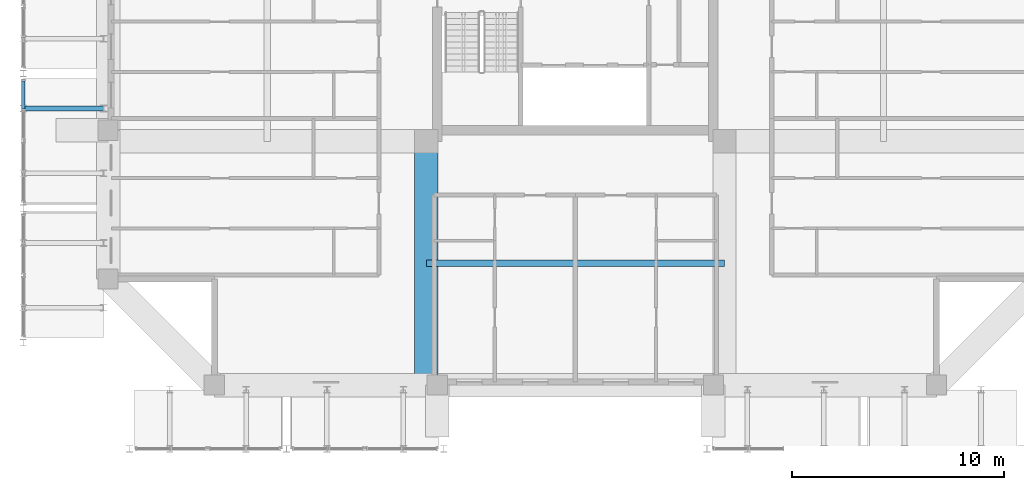
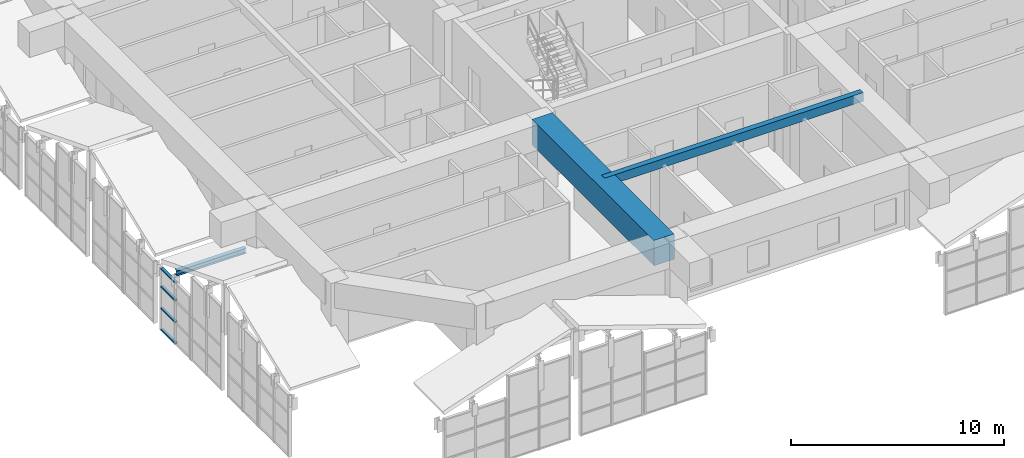
# One storey, part 7 of 45: 5 members, 2 beams, 1 element without a shape of its own.
"""IFC4 building model written with IfcOpenShell, lengths in metres."""

from ifc_helpers import new_model, si_unit, direction, frame, origin, origin_2d, place, context, subcontext, project, spatial, rectangle, hollow_rectangle, i_section, extrude, source, transform, mapped, material, layer, layer_set, material_profile, profile_set, type_object, element, aggregate, save


model = new_model("IFC4")

# Units and contexts
model_context = context("Model", 3, precision=1e-05, world=origin(), true_north=direction((0.0, 1.0)))
body_context = subcontext(model_context, "Body", "Model", "MODEL_VIEW")
ifc_project = project(units=[si_unit("LENGTHUNIT", "METRE"), si_unit("AREAUNIT", "SQUARE_METRE"), si_unit("VOLUMEUNIT", "CUBIC_METRE"), si_unit("PLANEANGLEUNIT", "RADIAN"), si_unit("MASSUNIT", "GRAM", prefix="KILO")], contexts=[model_context])

# Site, building, storey
site_placement = place(None, origin())
site = spatial("IfcSite", under=ifc_project, at=site_placement, CompositionType="ELEMENT")
building_placement = place(site_placement, origin())
building = spatial("IfcBuilding", under=site, at=building_placement, Name="Saelheon Loggia Tower", CompositionType="ELEMENT")
storey_placement = place(building_placement, frame((0.0, 0.0, 152.199951171875)))
storey = spatial("IfcBuildingStorey", under=building, at=storey_placement, Name="L48", CompositionType="ELEMENT", Elevation=152.199951171875)

# Member
ifc_material_1 = material(Name="Steel SM355", Category="steel")
ifc_material_profile_1 = material_profile(ifc_material_1, i_section(OverallWidth=0.219970703125, OverallDepth=0.300048828125, WebThickness=0.011962890625, FlangeThickness=0.02001953125, at=origin_2d()), Name="H-300x220x12x20")
ifc_profile_set_1 = profile_set([ifc_material_profile_1], Name="Steel SM355")
member_type_1 = type_object("IfcMemberType", Name="Roof_ShoulderPurlin_RHS300", PredefinedType="PURLIN", material=ifc_profile_set_1)
shared_shape_1 = source(origin(), body_context, "Body", "SweptSolid", [
    extrude(i_section(OverallWidth=0.219970703125, OverallDepth=0.300048828125, WebThickness=0.011962890625, FlangeThickness=0.02001953125, at=origin_2d()), origin(), (0.0, 0.0, 1.0), 3.780029296875),
])
member_1_placement = place(storey_placement, frame((12.0, 19.02197265625, 0.6220703125), z_axis=(1.0, 0.0, 0.0), x_axis=(0.0, 1.0, 0.0)))
element("IfcMember", 1, at=member_1_placement, inside=storey, type_object=member_type_1, Name="Tier 1 Wave Crest Rafter W 02 B", PredefinedType="PURLIN", context=body_context, shape_type="MappedRepresentation", body=[
    mapped(shared_shape_1, transform((0.0, 0.0, 0.0), scale=1.0)),
])

# Beams
ifc_material_2 = material(Name="Concrete C40/50", Category="concrete")
ifc_material_profile_2 = material_profile(ifc_material_2, rectangle(XDim=0.300048828125, YDim=0.5, at=origin_2d()), Name="RC-300x500")
ifc_profile_set_2 = profile_set([ifc_material_profile_2], Name="Concrete C40/50")
beam_type_1 = type_object("IfcBeamType", Name="Beam_Joist_RC300x500", PredefinedType="JOIST", material=ifc_profile_set_2)
shared_shape_2 = source(origin(), body_context, "Body", "SweptSolid", [
    extrude(rectangle(XDim=0.300048828125, YDim=0.5, at=origin_2d()), origin(), (0.0, 0.0, 1.0), 14.0400390625),
])
beam_1_placement = place(storey_placement, frame((30.97998046875, 11.739990234375, 3.650146484375), z_axis=(1.0, 0.0, 0.0), x_axis=(0.0, 1.0, 0.0)))
element("IfcBeam", 2, at=beam_1_placement, inside=storey, type_object=beam_type_1, Name="L48 South Floor Joist", PredefinedType="JOIST", context=body_context, shape_type="MappedRepresentation", body=[
    mapped(shared_shape_2, transform((0.0, 0.0, 0.0), scale=1.0)),
])
ifc_material_3 = material(Name="Concrete C50/60", Category="concrete")
ifc_material_profile_3 = material_profile(ifc_material_3, rectangle(XDim=1.10009765625, YDim=1.449951171875, at=origin_2d()), Name="RC-1100x1450")
ifc_profile_set_3 = profile_set([ifc_material_profile_3], Name="Concrete C50/60")
beam_type_2 = type_object("IfcBeamType", Name="Beam_Transfer_RC1100x1450", PredefinedType="BEAM", material=ifc_profile_set_3)
shared_shape_3 = source(origin(), body_context, "Body", "SweptSolid", [
    extrude(rectangle(XDim=1.10009765625, YDim=1.449951171875, at=origin_2d()), origin(), (0.0, 0.0, 1.0), 11.47998046875),
])
beam_2_placement = place(storey_placement, frame((30.97998046875, 17.47998046875, 3.175048828125), z_axis=(0.0, -1.0, 0.0), x_axis=(1.0, 0.0, 0.0)))
element("IfcBeam", 3, at=beam_2_placement, inside=storey, type_object=beam_type_2, Name="L48 Radial Floor Girder RAD-SW-S", PredefinedType="BEAM", context=body_context, shape_type="MappedRepresentation", body=[
    mapped(shared_shape_3, transform((0.0, 0.0, 0.0), scale=1.0)),
])

# Curtain wall, members
ifc_material_4 = material(Name="Bronze-Anodised Aluminium and Fritted Ceramic Screen", Category="aluminium")
ifc_layer = layer(ifc_material_4, 0.219970703125)
ifc_layer_set = layer_set([ifc_layer], Name="Bronze-Anodised Aluminium and Fritted Ceramic Screen")
curtain_wall_type = type_object("IfcCurtainWallType", Name="CW_CrownScreen", PredefinedType="NOTDEFINED", material=ifc_layer_set)
curtain_wall_placement = place(storey_placement, origin())
curtain_wall = element("IfcCurtainWall", 4, at=curtain_wall_placement, inside=storey, type_object=curtain_wall_type, Name="Tier 1 Wave Crest Glazing W 02-2", PredefinedType="NOTDEFINED")
ifc_material_5 = material(Name="Bronze-Anodised Aluminium 6063-T6", Category="aluminium")
ifc_material_profile_4 = material_profile(ifc_material_5, hollow_rectangle(XDim=0.070068359375, YDim=0.14990234375, WallThickness=0.0048828125, at=origin_2d()), Name="RHS-150x70x5")
ifc_profile_set_4 = profile_set([ifc_material_profile_4], Name="Bronze-Anodised Aluminium 6063-T6")
member_type_2 = type_object("IfcMemberType", Name="CW_CrownScreen_Transom", PredefinedType="USERDEFINED", material=ifc_profile_set_4)
shared_shape_4 = source(origin(), body_context, "Body", "SweptSolid", [
    extrude(hollow_rectangle(XDim=0.070068359375, YDim=0.14990234375, WallThickness=0.0048828125, at=origin_2d()), origin(), (0.0, 0.0, 1.0), 1.328369140625),
])
member_2_placement = place(storey_placement, frame((12.0, 18.998291015625, -3.4150390625), z_axis=(0.0, 1.0, 0.0), x_axis=(0.0, 0.0, 1.0)))
member_2 = element("IfcMember", 5, at=member_2_placement, type_object=member_type_2, Name="CW6 transom 2.1", ObjectType="TRANSOM", PredefinedType="USERDEFINED", context=body_context, shape_type="MappedRepresentation", body=[
    mapped(shared_shape_4, transform((0.0, 0.0, 0.0), scale=1.0)),
])
member_3_placement = place(storey_placement, frame((12.0, 18.998291015625, -2.199951171875), z_axis=(0.0, 1.0, 0.0), x_axis=(0.0, 0.0, 1.0)))
member_3 = element("IfcMember", 6, at=member_3_placement, type_object=member_type_2, Name="CW6 transom 2.2", ObjectType="TRANSOM", PredefinedType="USERDEFINED", context=body_context, shape_type="MappedRepresentation", body=[
    mapped(shared_shape_4, transform((0.0, 0.0, 0.0), scale=1.0)),
])
member_4_placement = place(storey_placement, frame((12.0, 18.998291015625, -0.949951171875), z_axis=(0.0, 1.0, 0.0), x_axis=(0.0, 0.0, 1.0)))
member_4 = element("IfcMember", 7, at=member_4_placement, type_object=member_type_2, Name="CW6 transom 2.3", ObjectType="TRANSOM", PredefinedType="USERDEFINED", context=body_context, shape_type="MappedRepresentation", body=[
    mapped(shared_shape_4, transform((0.0, 0.0, 0.0), scale=1.0)),
])
member_5_placement = place(storey_placement, frame((12.0, 18.998291015625, 0.074951171875), z_axis=(0.0, 1.0, 0.0), x_axis=(0.0, 0.0, 1.0)))
member_5 = element("IfcMember", 8, at=member_5_placement, type_object=member_type_2, Name="CW6 transom 2.4", ObjectType="TRANSOM", PredefinedType="USERDEFINED", context=body_context, shape_type="MappedRepresentation", body=[
    mapped(shared_shape_4, transform((0.0, 0.0, 0.0), scale=1.0)),
])
aggregate(curtain_wall, [member_2, member_3, member_4, member_5])

save(model, "model.ifc")
